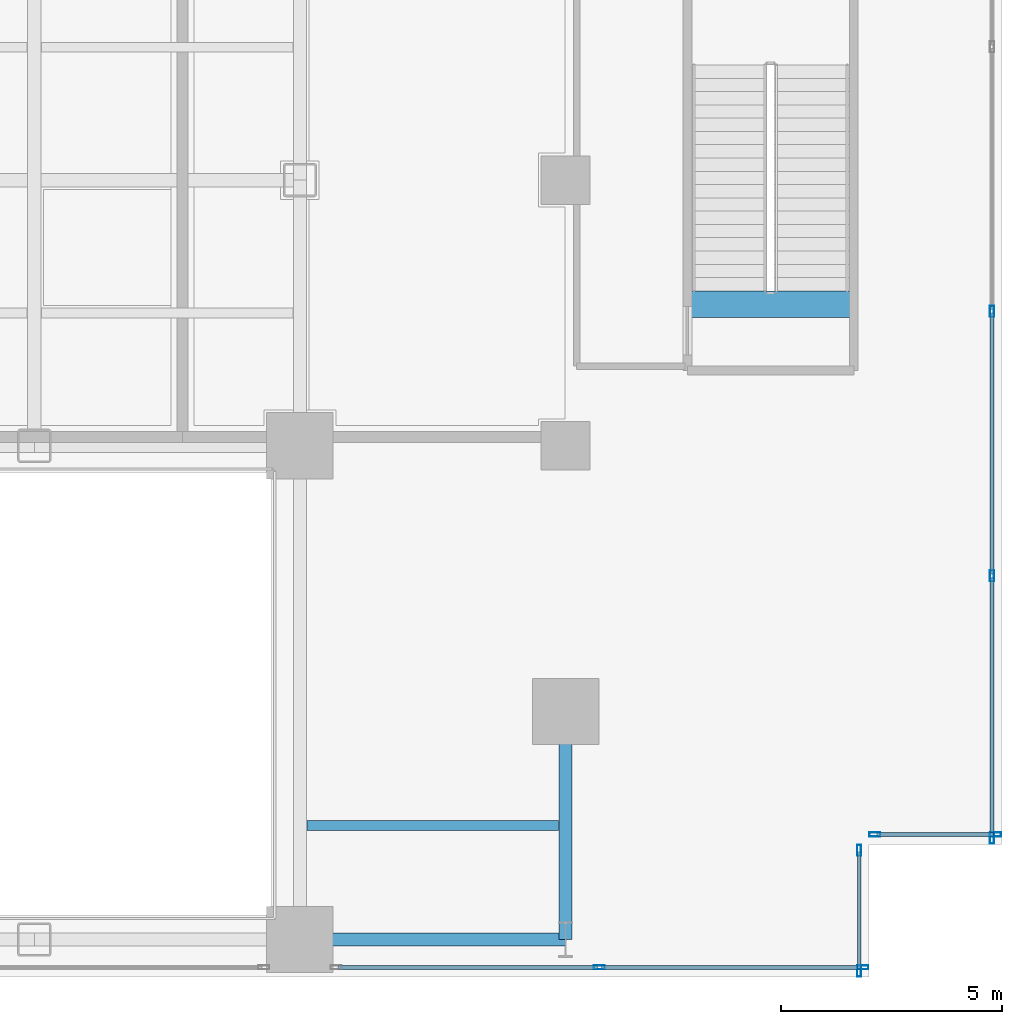
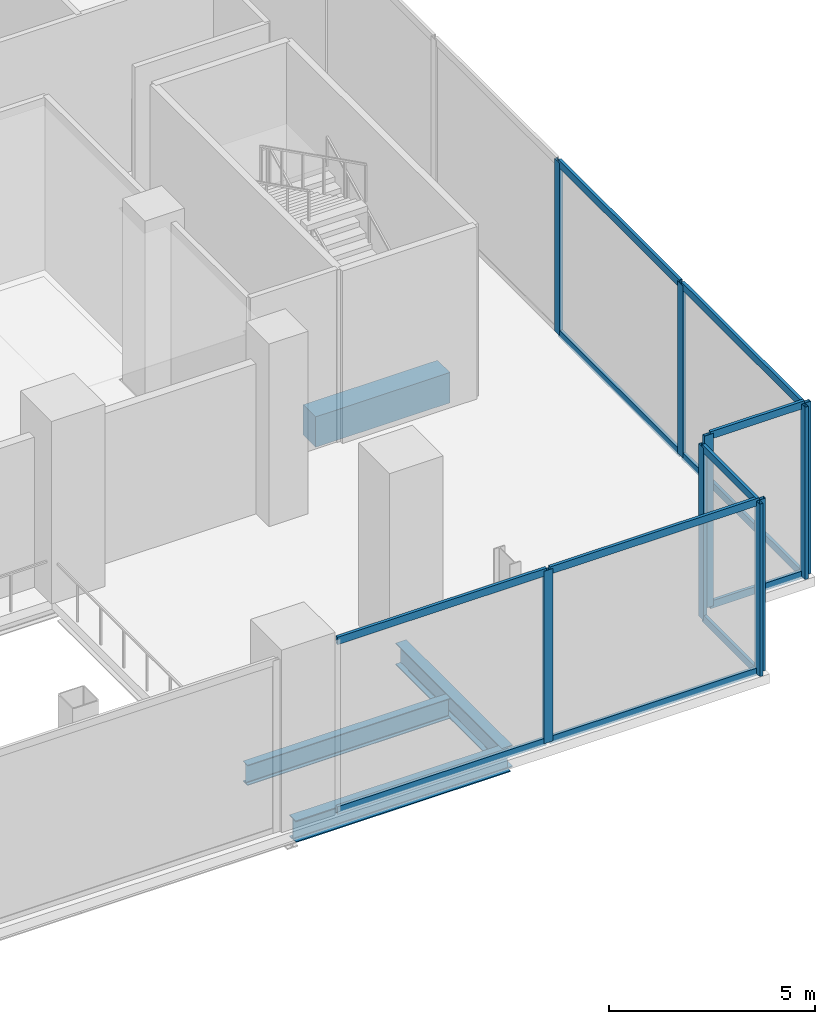
# One storey, part 10 of 28: 21 members, 4 beams, 4 elements without a shape of their own.
"""IFC4 building model written with IfcOpenShell, lengths in metres."""

import ifcopenshell
import ifcopenshell.guid

model = None  # the IFC model being written
_history = None  # IfcOwnerHistory: only IFC2X3 demands one
_inside = {}  # id of a spatial element -> (the spatial element, [elements in it])
_under = {}  # id of a project, library or spatial element -> (it, [spatial elements below it])
_declared = {}  # id of a project -> (the project, [libraries it declares])
_typed = {}  # id of a type object -> (the type object, [elements of that type])
_made_of = {}  # id of a material, layer set ... -> (it, [elements and type objects made of it])


def new_model(schema):
    """Start an empty IFC model of exactly this schema.

    Asked for "IFC4X3", IfcOpenShell would pick the latest addendum, in which some entities
    have other attributes; the version numbers below select the first issue.
    IFC2X3 requires an IfcOwnerHistory on every rooted entity: one is made here for all.
    """
    global model, _history
    if schema == "IFC4X3":
        model = ifcopenshell.file(schema_version=(4, 3, 0, 0))
    else:
        model = ifcopenshell.file(schema=schema)
    _inside.clear()
    _under.clear()
    _declared.clear()
    _typed.clear()
    _made_of.clear()
    _history = None
    if model.schema == "IFC2X3":
        org = make("IfcOrganization", Name="unknown")
        user = make(
            "IfcPersonAndOrganization",
            ThePerson=make("IfcPerson", FamilyName="unknown"),
            TheOrganization=org,
        )
        app = make(
            "IfcApplication",
            ApplicationDeveloper=org,
            Version="unknown",
            ApplicationFullName="unknown",
            ApplicationIdentifier="unknown",
        )
        _history = make(
            "IfcOwnerHistory",
            OwningUser=user,
            OwningApplication=app,
            ChangeAction="ADDED",
            CreationDate=0,
        )
    return model


def make(cls, **values):
    """One entity of the class cls with the attributes given. An attribute that is None is left unset."""
    return model.create_entity(
        cls, **{name: value for name, value in values.items() if value is not None}
    )


def rooted(cls, **values):
    """An entity with a GlobalId (a new one), such as an element, a storey or a relation."""
    return make(cls, GlobalId=ifcopenshell.guid.new(), OwnerHistory=_history, **values)


def si_unit(unit_type, name, prefix=None):
    """IfcSIUnit, for example si_unit("LENGTHUNIT", "METRE", prefix="MILLI")."""
    return make("IfcSIUnit", UnitType=unit_type, Prefix=prefix, Name=name)


def assignment(units):
    """IfcUnitAssignment: the units of a project."""
    return None if units is None else make("IfcUnitAssignment", Units=units)


def point(xyz):
    """IfcCartesianPoint."""
    return None if xyz is None else make("IfcCartesianPoint", Coordinates=xyz)


def direction(xyz):
    """IfcDirection."""
    return None if xyz is None else make("IfcDirection", DirectionRatios=xyz)


def frame(location, z_axis=None, x_axis=None):
    """IfcAxis2Placement3D, a coordinate frame: its origin and axes. An axis left out is left unset."""
    return make(
        "IfcAxis2Placement3D",
        Location=point(location),
        Axis=direction(z_axis),
        RefDirection=direction(x_axis),
    )


def frame_2d(location, x_axis=None):
    """IfcAxis2Placement2D, a coordinate frame in the plane: its origin and x axis."""
    return make(
        "IfcAxis2Placement2D", Location=point(location), RefDirection=direction(x_axis)
    )


def origin():
    """The frame at (0, 0, 0) with its axes left unset."""
    return frame((0.0, 0.0, 0.0))


def origin_2d():
    """The frame at (0, 0) in the plane with its x axis left unset."""
    return frame_2d((0.0, 0.0))


def place(relative_to, where):
    """IfcLocalPlacement: puts the frame where relative to a parent placement (None: the world)."""
    return make(
        "IfcLocalPlacement", PlacementRelTo=relative_to, RelativePlacement=where
    )


def context(
    kind, dimensions, precision=None, world=None, true_north=None, identifier=None
):
    """IfcGeometricRepresentationContext, for example the 3D "Model" context."""
    return make(
        "IfcGeometricRepresentationContext",
        ContextIdentifier=identifier,
        ContextType=kind,
        CoordinateSpaceDimension=dimensions,
        Precision=precision,
        WorldCoordinateSystem=world,
        TrueNorth=true_north,
    )


def subcontext(parent, identifier, kind, view, scale=None):
    """IfcGeometricRepresentationSubContext, for example "Body" below "Model"."""
    return make(
        "IfcGeometricRepresentationSubContext",
        ContextIdentifier=identifier,
        ContextType=kind,
        ParentContext=parent,
        TargetScale=scale,
        TargetView=view,
    )


def project(units=None, contexts=None):
    """IfcProject with its units and contexts."""
    return rooted(
        "IfcProject",
        Name="project",
        RepresentationContexts=contexts,
        UnitsInContext=assignment(units),
    )


def spatial(cls, under=None, at=None, **own):
    """A site, building, storey or space (cls), placed at a placement, below another one or the project."""
    s = rooted(cls, ObjectPlacement=at, **own)
    if under is not None:
        _under.setdefault(under.id(), (under, []))[1].append(s)
    return s


def profile(cls, at=None, kind="AREA", **sizes):
    """A parametric profile (cls). Its sizes go by their IFC names, for example OverallWidth=200.0."""
    return make(cls, ProfileType=kind, Position=at, **sizes)


def rectangle(**sizes):
    """IfcRectangleProfileDef."""
    return profile("IfcRectangleProfileDef", **sizes)


def hollow_rectangle(**sizes):
    """IfcRectangleHollowProfileDef."""
    return profile("IfcRectangleHollowProfileDef", **sizes)


def i_section(**sizes):
    """IfcIShapeProfileDef."""
    return profile("IfcIShapeProfileDef", **sizes)


def extrude(swept, where, along, depth):
    """IfcExtrudedAreaSolid: the profile swept, set in the frame where, extruded along a direction by depth."""
    return make(
        "IfcExtrudedAreaSolid",
        SweptArea=swept,
        Position=where,
        ExtrudedDirection=direction(along),
        Depth=depth,
    )


def shape(context_of_items, identifier, shape_type, items):
    """IfcShapeRepresentation: the items that make up one representation, for example the "Body"."""
    return make(
        "IfcShapeRepresentation",
        ContextOfItems=context_of_items,
        RepresentationIdentifier=identifier,
        RepresentationType=shape_type,
        Items=items,
    )


def material(Name=None, Category=None):
    """IfcMaterial."""
    return make("IfcMaterial", Name=Name, Category=Category)


def layer(
    of_material, thickness, ventilated=None, Name=None, Category=None, Priority=None
):
    """IfcMaterialLayer: one layer of a wall or slab, of a material (None: an air gap)."""
    return make(
        "IfcMaterialLayer",
        Material=of_material,
        LayerThickness=thickness,
        IsVentilated=ventilated,
        Name=Name,
        Category=Category,
        Priority=Priority,
    )


def layer_set(layers, Name=None):
    """IfcMaterialLayerSet."""
    return make("IfcMaterialLayerSet", MaterialLayers=layers, LayerSetName=Name)


def material_profile(
    of_material, cross_section, Name=None, Category=None, Priority=None
):
    """IfcMaterialProfile: a cross section and its material."""
    return make(
        "IfcMaterialProfile",
        Name=Name,
        Material=of_material,
        Profile=cross_section,
        Priority=Priority,
        Category=Category,
    )


def profile_set(profiles, Name=None, composite=None):
    """IfcMaterialProfileSet."""
    return make(
        "IfcMaterialProfileSet",
        Name=Name,
        MaterialProfiles=profiles,
        CompositeProfile=composite,
    )


def made_of(thing, what):
    """Note that an element or type object is made of a material, layer set ...; save() writes the relation."""
    if what is not None:
        _made_of.setdefault(what.id(), (what, []))[1].append(thing)
    return thing


def type_object(cls, material=None, **own):
    """A type object (cls), such as IfcWallType, which elements share."""
    return made_of(rooted(cls, **own), material)


def element(
    cls,
    number,
    at=None,
    inside=None,
    cuts=None,
    type_object=None,
    material=None,
    context=None,
    identifier="Body",
    shape_type=None,
    held_by="IfcProductDefinitionShape",
    body=None,
    shapes=None,
    **own,
):
    """One element of the class cls, such as IfcWall. Its Tag is "e" and its number.

    at: its placement. inside: the storey or other place that contains it. cuts: it is an
    opening in that element (IfcRelVoidsElement). A single representation is given by context,
    identifier, shape_type and body (its items); several are given by shapes. held_by: the class
    of the entity that holds the representations. save() writes the other relations.
    """
    e = rooted(cls, Tag="e%d" % number, ObjectPlacement=at, **own)
    if body is not None:
        shapes = [shape(context, identifier, shape_type, body)]
    if shapes is not None:
        e.Representation = make(held_by, Representations=shapes)
    if inside is not None:
        _inside.setdefault(inside.id(), (inside, []))[1].append(e)
    if cuts is not None:
        rooted(
            "IfcRelVoidsElement", RelatingBuildingElement=cuts, RelatedOpeningElement=e
        )
    if type_object is not None:
        _typed.setdefault(type_object.id(), (type_object, []))[1].append(e)
    return made_of(e, material)


def aggregate(whole, parts):
    """IfcRelAggregates: a whole, such as a stair, and the parts it consists of."""
    return rooted("IfcRelAggregates", RelatingObject=whole, RelatedObjects=parts)


def save(model, path):
    """Write the relations noted so far, then the file.

    IfcRelAggregates (storeys below a building ...), IfcRelContainedInSpatialStructure (elements
    in a storey), IfcRelDefinesByType, IfcRelAssociatesMaterial and IfcRelDeclares: one each for
    every whole, place, type object, material and project.
    """
    for whole, parts in _under.values():
        aggregate(whole, parts)
    for where, things in _inside.values():
        rooted(
            "IfcRelContainedInSpatialStructure",
            RelatedElements=things,
            RelatingStructure=where,
        )
    for kind, things in _typed.values():
        rooted("IfcRelDefinesByType", RelatedObjects=things, RelatingType=kind)
    for what, things in _made_of.values():
        rooted("IfcRelAssociatesMaterial", RelatedObjects=things, RelatingMaterial=what)
    for by, libraries in _declared.values():
        rooted("IfcRelDeclares", RelatingContext=by, RelatedDefinitions=libraries)
    model.write(path)


model = new_model("IFC4")

# Units and contexts
model_context = context("Model", 3, precision=1e-05, world=origin(), true_north=direction((0.0, 1.0)))
body_context = subcontext(model_context, "Body", "Model", "MODEL_VIEW")
ifc_project = project(units=[si_unit("LENGTHUNIT", "METRE"), si_unit("AREAUNIT", "SQUARE_METRE"), si_unit("VOLUMEUNIT", "CUBIC_METRE"), si_unit("PLANEANGLEUNIT", "RADIAN"), si_unit("MASSUNIT", "GRAM", prefix="KILO"), si_unit("THERMODYNAMICTEMPERATUREUNIT", "KELVIN"), si_unit("POWERUNIT", "WATT")], contexts=[model_context])

# Site, building, storey
site_placement = place(None, origin())
site = spatial("IfcSite", under=ifc_project, at=site_placement, CompositionType="ELEMENT")
building_placement = place(site_placement, origin())
building = spatial("IfcBuilding", under=site, at=building_placement, Name="Svarakhadi Broadcast Tower", CompositionType="ELEMENT")
storey_placement = place(building_placement, frame((0.0, 0.0, 11.10009765625)))
storey = spatial("IfcBuildingStorey", under=building, at=storey_placement, Name="L02", CompositionType="ELEMENT", Elevation=11.10009765625)

# Beam
ifc_material_1 = material(Name="Steel S355J2 (IS 2062 E350C)", Category="steel")
ifc_material_profile_1 = material_profile(ifc_material_1, i_section(OverallWidth=0.219970703125, OverallDepth=0.60009765625, WebThickness=0.011962890625, FlangeThickness=0.01904296875, FilletRadius=0.02392578125, at=origin_2d()), Name="NPB 600x220x122")
ifc_profile_set_1 = profile_set([ifc_material_profile_1], Name="Steel S355J2 (IS 2062 E350C)")
beam_type_1 = type_object("IfcBeamType", Name="Beam_NPB600", PredefinedType="BEAM", material=ifc_profile_set_1)
beam_1_placement = place(storey_placement, frame((47.31005859375, 3.425048828125, -0.5751953125), z_axis=(1.0, 0.0, 0.0), x_axis=(0.0, 1.0, 0.0)))
element("IfcBeam", 1, at=beam_1_placement, inside=storey, type_object=beam_type_1, Name="L02 Secondary Composite Beam SB023", PredefinedType="BEAM", context=body_context, shape_type="SweptSolid", body=[
    extrude(i_section(OverallWidth=0.219970703125, OverallDepth=0.60009765625, WebThickness=0.011962890625, FlangeThickness=0.01904296875, FilletRadius=0.02392578125, at=origin_2d()), origin(), (0.0, 0.0, 1.0), 5.679931640625),
])

# Curtain wall, members
ifc_material_2 = material(Name="Anodised Bronze Aluminium AA 6063-T6", Category="aluminium")
ifc_layer = layer(ifc_material_2, 0.25)
ifc_layer_set = layer_set([ifc_layer], Name="Anodised Bronze Aluminium AA 6063-T6")
curtain_wall_type = type_object("IfcCurtainWallType", Name="CW_Sys_01", PredefinedType="NOTDEFINED", material=ifc_layer_set)
curtain_wall_1_placement = place(storey_placement, origin())
curtain_wall_1 = element("IfcCurtainWall", 2, at=curtain_wall_1_placement, inside=storey, type_object=curtain_wall_type, Name="L02 Unitised Facade Curtain Wall 08", PredefinedType="NOTDEFINED")
ifc_material_profile_2 = material_profile(ifc_material_2, hollow_rectangle(XDim=0.094970703125, YDim=0.25, WallThickness=0.006103515625, at=origin_2d()), Name="ALU MULLION 250x95x6")
ifc_profile_set_2 = profile_set([ifc_material_profile_2], Name="Anodised Bronze Aluminium AA 6063-T6")
member_type_1 = type_object("IfcMemberType", Name="CW_Sys_01_Mul", PredefinedType="MULLION", material=ifc_profile_set_2)
member_1_placement = place(storey_placement, frame((62.780029296875, 15.03857421875, 0.0), z_axis=(0.0, 0.0, 1.0), x_axis=(1.0, 0.0, 0.0)))
member_1 = element("IfcMember", 3, at=member_1_placement, type_object=member_type_1, Name="CW-01 mullion 6", PredefinedType="MULLION", context=body_context, shape_type="SweptSolid", body=[
    extrude(hollow_rectangle(XDim=0.094970703125, YDim=0.25, WallThickness=0.006103515625, at=origin_2d()), origin(), (0.0, 0.0, 1.0), 5.099853515625),
])
member_2_placement = place(storey_placement, frame((62.780029296875, 9.064208984375, 0.0), z_axis=(0.0, 0.0, 1.0), x_axis=(1.0, 0.0, 0.0)))
member_2 = element("IfcMember", 4, at=member_2_placement, type_object=member_type_1, Name="CW-01 mullion 7", PredefinedType="MULLION", context=body_context, shape_type="SweptSolid", body=[
    extrude(hollow_rectangle(XDim=0.094970703125, YDim=0.25, WallThickness=0.006103515625, at=origin_2d()), origin(), (0.0, 0.0, 1.0), 5.099853515625),
])
member_3_placement = place(storey_placement, frame((62.780029296875, 3.137451171875, 0.0), z_axis=(0.0, 0.0, 1.0), x_axis=(1.0, 0.0, 0.0)))
member_3 = element("IfcMember", 5, at=member_3_placement, type_object=member_type_1, Name="CW-01 mullion 8", PredefinedType="MULLION", context=body_context, shape_type="SweptSolid", body=[
    extrude(hollow_rectangle(XDim=0.094970703125, YDim=0.25, WallThickness=0.006103515625, at=origin_2d()), origin(), (0.0, 0.0, 1.0), 5.099853515625),
])

curtain_wall_2_placement = place(storey_placement, origin())
curtain_wall_2 = element("IfcCurtainWall", 6, at=curtain_wall_2_placement, inside=storey, type_object=curtain_wall_type, Name="L02 Unitised Facade Curtain Wall 09", PredefinedType="NOTDEFINED")
member_4_placement = place(storey_placement, frame((62.862548828125, 3.219970703125, 0.0), z_axis=(0.0, 0.0, 1.0), x_axis=(0.0, -1.0, 0.0)))
member_4 = element("IfcMember", 7, at=member_4_placement, type_object=member_type_1, Name="CW-01 mullion 1", PredefinedType="MULLION", context=body_context, shape_type="SweptSolid", body=[
    extrude(hollow_rectangle(XDim=0.094970703125, YDim=0.25, WallThickness=0.006103515625, at=origin_2d()), origin(), (0.0, 0.0, 1.0), 5.099853515625),
])
member_5_placement = place(storey_placement, frame((60.137451171875, 3.219970703125, 0.0), z_axis=(0.0, 0.0, 1.0), x_axis=(0.0, -1.0, 0.0)))
member_5 = element("IfcMember", 8, at=member_5_placement, type_object=member_type_1, Name="CW-01 mullion 2", PredefinedType="MULLION", context=body_context, shape_type="SweptSolid", body=[
    extrude(hollow_rectangle(XDim=0.094970703125, YDim=0.25, WallThickness=0.006103515625, at=origin_2d()), origin(), (0.0, 0.0, 1.0), 5.099853515625),
])

curtain_wall_3_placement = place(storey_placement, origin())
curtain_wall_3 = element("IfcCurtainWall", 9, at=curtain_wall_3_placement, inside=storey, type_object=curtain_wall_type, Name="L02 Unitised Facade Curtain Wall 10", PredefinedType="NOTDEFINED")
member_6_placement = place(storey_placement, frame((59.780029296875, 2.862548828125, 0.0), z_axis=(0.0, 0.0, 1.0), x_axis=(1.0, 0.0, 0.0)))
member_6 = element("IfcMember", 10, at=member_6_placement, type_object=member_type_1, Name="CW-01 mullion 1", PredefinedType="MULLION", context=body_context, shape_type="SweptSolid", body=[
    extrude(hollow_rectangle(XDim=0.094970703125, YDim=0.25, WallThickness=0.006103515625, at=origin_2d()), origin(), (0.0, 0.0, 1.0), 5.099853515625),
])
member_7_placement = place(storey_placement, frame((59.780029296875, 0.137451171875, 0.0), z_axis=(0.0, 0.0, 1.0), x_axis=(1.0, 0.0, 0.0)))
member_7 = element("IfcMember", 11, at=member_7_placement, type_object=member_type_1, Name="CW-01 mullion 2", PredefinedType="MULLION", context=body_context, shape_type="SweptSolid", body=[
    extrude(hollow_rectangle(XDim=0.094970703125, YDim=0.25, WallThickness=0.006103515625, at=origin_2d()), origin(), (0.0, 0.0, 1.0), 5.099853515625),
])

curtain_wall_4_placement = place(storey_placement, origin())
curtain_wall_4 = element("IfcCurtainWall", 12, at=curtain_wall_4_placement, inside=storey, type_object=curtain_wall_type, Name="L02 South Curtain Wall 11 Bay 1", PredefinedType="NOTDEFINED")
member_8_placement = place(storey_placement, frame((59.862548828125, 0.219970703125, 0.0), z_axis=(0.0, 0.0, 1.0), x_axis=(0.0, -1.0, 0.0)))
member_8 = element("IfcMember", 13, at=member_8_placement, type_object=member_type_1, Name="CW-01 mullion 1", PredefinedType="MULLION", context=body_context, shape_type="SweptSolid", body=[
    extrude(hollow_rectangle(XDim=0.094970703125, YDim=0.25, WallThickness=0.006103515625, at=origin_2d()), origin(), (0.0, 0.0, 1.0), 5.099853515625),
])
member_9_placement = place(storey_placement, frame((53.9150390625, 0.219970703125, 0.0), z_axis=(0.0, 0.0, 1.0), x_axis=(0.0, -1.0, 0.0)))
member_9 = element("IfcMember", 14, at=member_9_placement, type_object=member_type_1, Name="CW-01 mullion 2", PredefinedType="MULLION", context=body_context, shape_type="SweptSolid", body=[
    extrude(hollow_rectangle(XDim=0.094970703125, YDim=0.25, WallThickness=0.006103515625, at=origin_2d()), origin(), (0.0, 0.0, 1.0), 5.099853515625),
])

# Member
ifc_material_profile_3 = material_profile(ifc_material_2, hollow_rectangle(XDim=0.0849609375, YDim=0.219970703125, WallThickness=0.0048828125, at=origin_2d()), Name="ALU TRANSOM 220x85x5")
ifc_profile_set_3 = profile_set([ifc_material_profile_3], Name="Anodised Bronze Aluminium AA 6063-T6")
member_type_2 = type_object("IfcMemberType", Name="CW_Sys_01_Trn", PredefinedType="USERDEFINED", material=ifc_profile_set_3)
member_10_placement = place(storey_placement, frame((62.780029296875, 14.990966796875, 0.04248046875), z_axis=(0.0, -1.0, 0.0), x_axis=(1.0, 0.0, 0.0)))
member_10 = element("IfcMember", 15, at=member_10_placement, type_object=member_type_2, Name="CW-01 transom 6.1", ObjectType="TRANSOM", PredefinedType="USERDEFINED", context=body_context, shape_type="SweptSolid", body=[
    extrude(hollow_rectangle(XDim=0.0849609375, YDim=0.219970703125, WallThickness=0.0048828125, at=origin_2d()), origin(), (0.0, 0.0, 1.0), 5.879150390625),
])

member_11_placement = place(storey_placement, frame((62.780029296875, 14.990966796875, 5.057373046875), z_axis=(0.0, -1.0, 0.0), x_axis=(1.0, 0.0, 0.0)))
member_11 = element("IfcMember", 16, at=member_11_placement, type_object=member_type_2, Name="CW-01 transom 6.2", ObjectType="TRANSOM", PredefinedType="USERDEFINED", context=body_context, shape_type="SweptSolid", body=[
    extrude(hollow_rectangle(XDim=0.0849609375, YDim=0.219970703125, WallThickness=0.0048828125, at=origin_2d()), origin(), (0.0, 0.0, 1.0), 5.879150390625),
])

member_12_placement = place(storey_placement, frame((62.780029296875, 9.016845703125, 0.04248046875), z_axis=(0.0, -1.0, 0.0), x_axis=(1.0, 0.0, 0.0)))
member_12 = element("IfcMember", 17, at=member_12_placement, type_object=member_type_2, Name="CW-01 transom 7.1", ObjectType="TRANSOM", PredefinedType="USERDEFINED", context=body_context, shape_type="SweptSolid", body=[
    extrude(hollow_rectangle(XDim=0.0849609375, YDim=0.219970703125, WallThickness=0.0048828125, at=origin_2d()), origin(), (0.0, 0.0, 1.0), 5.831787109375),
])

member_13_placement = place(storey_placement, frame((62.780029296875, 9.016845703125, 5.057373046875), z_axis=(0.0, -1.0, 0.0), x_axis=(1.0, 0.0, 0.0)))
member_13 = element("IfcMember", 18, at=member_13_placement, type_object=member_type_2, Name="CW-01 transom 7.2", ObjectType="TRANSOM", PredefinedType="USERDEFINED", context=body_context, shape_type="SweptSolid", body=[
    extrude(hollow_rectangle(XDim=0.0849609375, YDim=0.219970703125, WallThickness=0.0048828125, at=origin_2d()), origin(), (0.0, 0.0, 1.0), 5.831787109375),
])

aggregate(curtain_wall_1, [member_1, member_2, member_3, member_10, member_11, member_12, member_13])

member_14_placement = place(storey_placement, frame((62.81494140625, 3.219970703125, 0.04248046875), z_axis=(-1.0, 0.0, 0.0), x_axis=(0.0, -1.0, 0.0)))
member_14 = element("IfcMember", 19, at=member_14_placement, type_object=member_type_2, Name="CW-01 transom 1.1", ObjectType="TRANSOM", PredefinedType="USERDEFINED", context=body_context, shape_type="SweptSolid", body=[
    extrude(hollow_rectangle(XDim=0.0849609375, YDim=0.219970703125, WallThickness=0.0048828125, at=origin_2d()), origin(), (0.0, 0.0, 1.0), 2.6298828125),
])

member_15_placement = place(storey_placement, frame((62.81494140625, 3.219970703125, 5.057373046875), z_axis=(-1.0, 0.0, 0.0), x_axis=(0.0, -1.0, 0.0)))
member_15 = element("IfcMember", 20, at=member_15_placement, type_object=member_type_2, Name="CW-01 transom 1.2", ObjectType="TRANSOM", PredefinedType="USERDEFINED", context=body_context, shape_type="SweptSolid", body=[
    extrude(hollow_rectangle(XDim=0.0849609375, YDim=0.219970703125, WallThickness=0.0048828125, at=origin_2d()), origin(), (0.0, 0.0, 1.0), 2.6298828125),
])

aggregate(curtain_wall_2, [member_4, member_5, member_14, member_15])

member_16_placement = place(storey_placement, frame((59.780029296875, 2.81494140625, 0.04248046875), z_axis=(0.0, -1.0, 0.0), x_axis=(1.0, 0.0, 0.0)))
member_16 = element("IfcMember", 21, at=member_16_placement, type_object=member_type_2, Name="CW-01 transom 1.1", ObjectType="TRANSOM", PredefinedType="USERDEFINED", context=body_context, shape_type="SweptSolid", body=[
    extrude(hollow_rectangle(XDim=0.0849609375, YDim=0.219970703125, WallThickness=0.0048828125, at=origin_2d()), origin(), (0.0, 0.0, 1.0), 2.6298828125),
])

member_17_placement = place(storey_placement, frame((59.780029296875, 2.81494140625, 5.057373046875), z_axis=(0.0, -1.0, 0.0), x_axis=(1.0, 0.0, 0.0)))
member_17 = element("IfcMember", 22, at=member_17_placement, type_object=member_type_2, Name="CW-01 transom 1.2", ObjectType="TRANSOM", PredefinedType="USERDEFINED", context=body_context, shape_type="SweptSolid", body=[
    extrude(hollow_rectangle(XDim=0.0849609375, YDim=0.219970703125, WallThickness=0.0048828125, at=origin_2d()), origin(), (0.0, 0.0, 1.0), 2.6298828125),
])

aggregate(curtain_wall_3, [member_6, member_7, member_16, member_17])

member_18_placement = place(storey_placement, frame((59.81494140625, 0.219970703125, 0.04248046875), z_axis=(-1.0, 0.0, 0.0), x_axis=(0.0, -1.0, 0.0)))
member_18 = element("IfcMember", 23, at=member_18_placement, type_object=member_type_2, Name="CW-01 transom 1.1", ObjectType="TRANSOM", PredefinedType="USERDEFINED", context=body_context, shape_type="SweptSolid", body=[
    extrude(hollow_rectangle(XDim=0.0849609375, YDim=0.219970703125, WallThickness=0.0048828125, at=origin_2d()), origin(), (0.0, 0.0, 1.0), 5.8525390625),
])

member_19_placement = place(storey_placement, frame((59.81494140625, 0.219970703125, 5.057373046875), z_axis=(-1.0, 0.0, 0.0), x_axis=(0.0, -1.0, 0.0)))
member_19 = element("IfcMember", 24, at=member_19_placement, type_object=member_type_2, Name="CW-01 transom 1.2", ObjectType="TRANSOM", PredefinedType="USERDEFINED", context=body_context, shape_type="SweptSolid", body=[
    extrude(hollow_rectangle(XDim=0.0849609375, YDim=0.219970703125, WallThickness=0.0048828125, at=origin_2d()), origin(), (0.0, 0.0, 1.0), 5.8525390625),
])

member_20_placement = place(storey_placement, frame((53.867431640625, 0.219970703125, 0.04248046875), z_axis=(-1.0, 0.0, 0.0), x_axis=(0.0, -1.0, 0.0)))
member_20 = element("IfcMember", 25, at=member_20_placement, type_object=member_type_2, Name="CW-01 transom 2.1", ObjectType="TRANSOM", PredefinedType="USERDEFINED", context=body_context, shape_type="SweptSolid", body=[
    extrude(hollow_rectangle(XDim=0.0849609375, YDim=0.219970703125, WallThickness=0.0048828125, at=origin_2d()), origin(), (0.0, 0.0, 1.0), 5.8525390625),
])

member_21_placement = place(storey_placement, frame((53.867431640625, 0.219970703125, 5.057373046875), z_axis=(-1.0, 0.0, 0.0), x_axis=(0.0, -1.0, 0.0)))
member_21 = element("IfcMember", 26, at=member_21_placement, type_object=member_type_2, Name="CW-01 transom 2.2", ObjectType="TRANSOM", PredefinedType="USERDEFINED", context=body_context, shape_type="SweptSolid", body=[
    extrude(hollow_rectangle(XDim=0.0849609375, YDim=0.219970703125, WallThickness=0.0048828125, at=origin_2d()), origin(), (0.0, 0.0, 1.0), 5.8525390625),
])

aggregate(curtain_wall_4, [member_8, member_9, member_18, member_19, member_20, member_21])

# Beams
ifc_material_3 = material(Name="Concrete C50/60 (IS 456 M60)", Category="concrete")
ifc_material_profile_4 = material_profile(ifc_material_3, rectangle(XDim=0.60009765625, YDim=0.89990234375, at=origin_2d()), Name="RC 600x900")
ifc_profile_set_4 = profile_set([ifc_material_profile_4], Name="Concrete C50/60 (IS 456 M60)")
beam_type_2 = type_object("IfcBeamType", Name="Coupling_RC600", PredefinedType="USERDEFINED", material=ifc_profile_set_4)
beam_2_placement = place(storey_placement, frame((55.89990234375, 15.199951171875, -0.4501953125), z_axis=(1.0, 0.0, 0.0), x_axis=(0.0, 1.0, 0.0)))
element("IfcBeam", 27, at=beam_2_placement, inside=storey, type_object=beam_type_2, Name="L02 Stair ST-04 Landing Throat Trimmer Beam CB-01", ObjectType="GIRDER", PredefinedType="USERDEFINED", context=body_context, shape_type="SweptSolid", body=[
    extrude(rectangle(XDim=0.60009765625, YDim=0.89990234375, at=origin_2d()), origin(), (0.0, 0.0, 1.0), 3.760009765625),
])
ifc_material_profile_5 = material_profile(ifc_material_1, i_section(OverallWidth=0.300048828125, OverallDepth=0.64990234375, WebThickness=0.01611328125, FlangeThickness=0.031005859375, FilletRadius=0.027099609375, at=origin_2d()), Name="WPB 650x300x225")
ifc_profile_set_5 = profile_set([ifc_material_profile_5], Name="Steel S355J2 (IS 2062 E350C)")
beam_type_3 = type_object("IfcBeamType", Name="Girder_WPB650", PredefinedType="USERDEFINED", material=ifc_profile_set_5)
beam_3_placement = place(storey_placement, frame((47.14990234375, 0.85009765625, -0.60009765625), z_axis=(1.0, 0.0, 0.0), x_axis=(0.0, 1.0, 0.0)))
element("IfcBeam", 28, at=beam_3_placement, inside=storey, type_object=beam_type_3, Name="L02 Primary E-W Girder G011", ObjectType="GIRDER", PredefinedType="USERDEFINED", context=body_context, shape_type="SweptSolid", body=[
    extrude(i_section(OverallWidth=0.300048828125, OverallDepth=0.64990234375, WebThickness=0.01611328125, FlangeThickness=0.031005859375, FilletRadius=0.027099609375, at=origin_2d()), origin(), (0.0, 0.0, 1.0), 6.0),
])
beam_4_placement = place(storey_placement, frame((53.14990234375, 0.85009765625, -0.60009765625), z_axis=(0.0, 1.0, 0.0), x_axis=(-1.0, 0.0, 0.0)))
element("IfcBeam", 29, at=beam_4_placement, inside=storey, type_object=beam_type_3, Name="L02 Primary N-S Girder G083", ObjectType="GIRDER", PredefinedType="USERDEFINED", context=body_context, shape_type="SweptSolid", body=[
    extrude(i_section(OverallWidth=0.300048828125, OverallDepth=0.64990234375, WebThickness=0.01611328125, FlangeThickness=0.031005859375, FilletRadius=0.027099609375, at=origin_2d()), origin(), (0.0, 0.0, 1.0), 5.14990234375),
])

save(model, "model.ifc")
